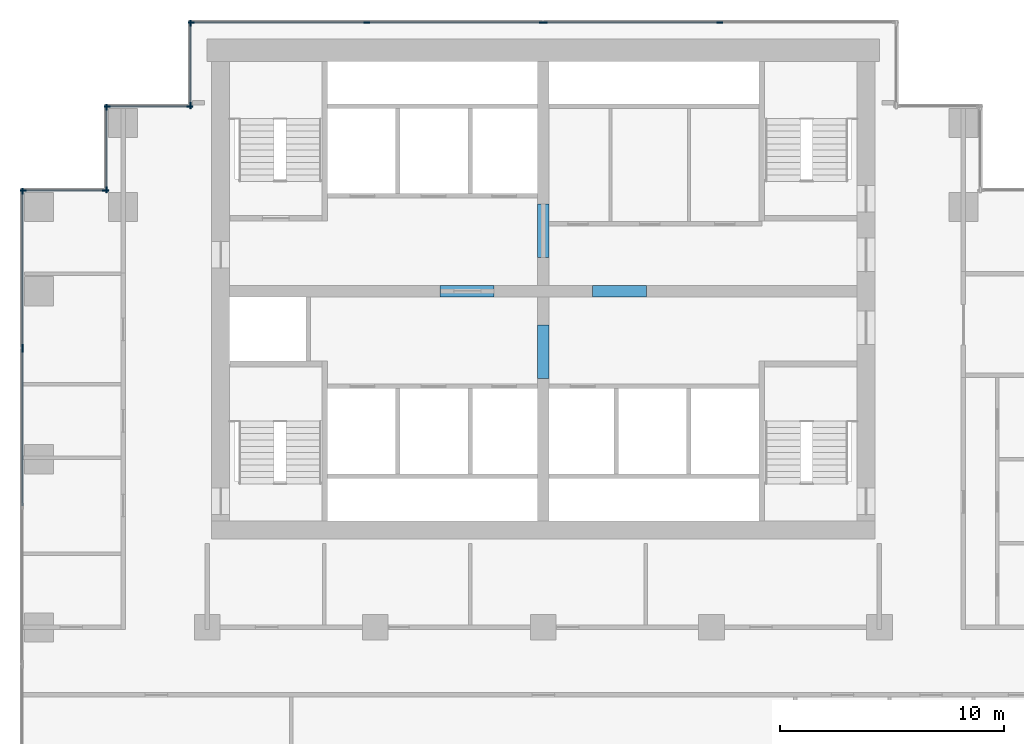
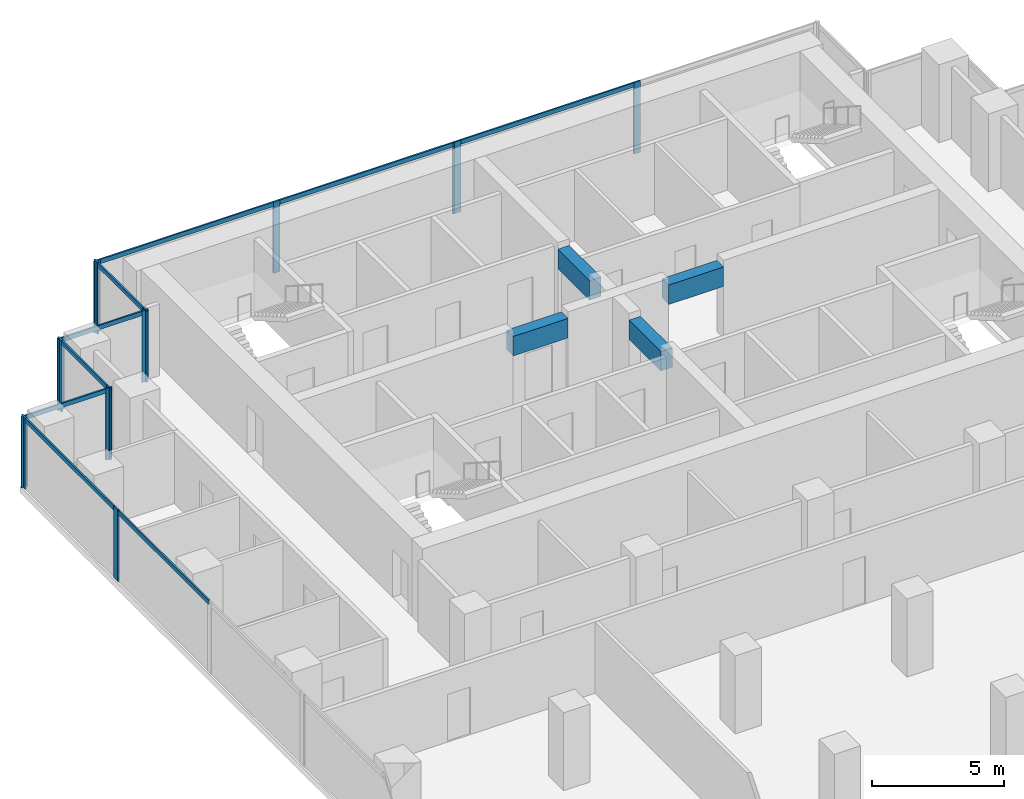
# One storey, part 4 of 10: 25 members, 4 beams, 8 elements without a shape of their own.
"""IFC4 building model written with IfcOpenShell, lengths in metres."""

from ifc_helpers import new_model, si_unit, direction, frame, origin, origin_2d, place, context, subcontext, project, spatial, rectangle, extrude, material, material_profile, profile_set, type_object, element, aggregate, save


model = new_model("IFC4")

# Units and contexts
model_context = context("Model", 3, precision=1e-05, world=origin(), true_north=direction((0.0, 1.0)))
body_context = subcontext(model_context, "Body", "Model", "MODEL_VIEW")
ifc_project = project(units=[si_unit("LENGTHUNIT", "METRE"), si_unit("AREAUNIT", "SQUARE_METRE"), si_unit("VOLUMEUNIT", "CUBIC_METRE"), si_unit("PLANEANGLEUNIT", "RADIAN"), si_unit("MASSUNIT", "GRAM", prefix="KILO")], contexts=[model_context])

# Site, building, storey
site_placement = place(None, origin())
site = spatial("IfcSite", under=ifc_project, at=site_placement, CompositionType="ELEMENT")
building_placement = place(site_placement, origin())
building = spatial("IfcBuilding", under=site, at=building_placement, Name="Pilkhan Gate Tower", CompositionType="ELEMENT")
storey_placement = place(building_placement, frame((0.0, 0.0, 114.39990234375)))
storey = spatial("IfcBuildingStorey", under=building, at=storey_placement, Name="L28", CompositionType="ELEMENT", Elevation=114.39990234375)

# Beams
ifc_material_1 = material(Name="Concrete C60/75", Category="concrete")
ifc_material_profile_1 = material_profile(ifc_material_1, rectangle(XDim=0.5, YDim=0.89990234375, at=origin_2d()), Name="RC 500x900")
ifc_profile_set_1 = profile_set([ifc_material_profile_1], Name="Concrete C60/75")
beam_type = type_object("IfcBeamType", Name="Coupling beam CB90 RC 500x900 C60/75", PredefinedType="LINTEL", material=ifc_profile_set_1)
for number, where, z_axis, x_axis, name in (
    (1, (70.39990234375, 82.5, 2.85009765625), (1.0, 0.0, 0.0), (0.0, 1.0, 0.0), "Coupling beam 1 L28"),
    (2, (77.199951171875, 82.5, 2.85009765625), (1.0, 0.0, 0.0), (0.0, 1.0, 0.0), "Coupling beam 2 L28"),
):
    element("IfcBeam", number, at=place(storey_placement, frame(where, z_axis=z_axis, x_axis=x_axis)), inside=storey, type_object=beam_type, Name=name, PredefinedType="LINTEL", context=body_context, shape_type="SweptSolid", body=[
        extrude(rectangle(XDim=0.5, YDim=0.89990234375, at=origin_2d()), origin(), (0.0, 0.0, 1.0), 2.400146484375),
    ])
for number, where, z_axis, x_axis, name in (
    (3, (75.0, 78.60009765625, 2.85009765625), (0.0, 1.0, 0.0), (-1.0, 0.0, 0.0), "Coupling beam 3 L28"),
    (4, (75.0, 84.0, 2.85009765625), (0.0, 1.0, 0.0), (-1.0, 0.0, 0.0), "Coupling beam 4 L28"),
):
    element("IfcBeam", number, at=place(storey_placement, frame(where, z_axis=z_axis, x_axis=x_axis)), inside=storey, type_object=beam_type, Name=name, PredefinedType="LINTEL", context=body_context, shape_type="SweptSolid", body=[
        extrude(rectangle(XDim=0.5, YDim=0.89990234375, at=origin_2d()), origin(), (0.0, 0.0, 1.0), 2.39990234375),
    ])

# Curtain wall, members
ifc_material_2 = material(Name="Pale anodised aluminium, clear low-iron double glazing", Category="aluminium")
curtain_wall_type = type_object("IfcCurtainWallType", Name="Office unitised curtain wall CW-O1", PredefinedType="USERDEFINED", material=ifc_material_2)
curtain_wall_1_placement = place(storey_placement, origin())
curtain_wall_1 = element("IfcCurtainWall", 5, at=curtain_wall_1_placement, inside=storey, type_object=curtain_wall_type, Name="Office unitised curtain wall CW-O1 L28 N", ObjectType="UNITISED CURTAIN WALL", PredefinedType="USERDEFINED")
ifc_material_3 = material(Name="Pale anodised aluminium", Category="aluminium")
ifc_material_profile_2 = material_profile(ifc_material_3, rectangle(XDim=0.070068359375, YDim=0.27490234375, at=origin_2d()), Name="Mullion 275x70")
ifc_profile_set_2 = profile_set([ifc_material_profile_2], Name="Pale anodised aluminium")
member_type_1 = type_object("IfcMemberType", Name="Mullion CW-O1 275x70", PredefinedType="MULLION", material=ifc_profile_set_2)
member_1_placement = place(storey_placement, frame((59.284912109375, 94.5, 0.0), z_axis=(0.0, 0.0, 1.0), x_axis=(0.0, 1.0, 0.0)))
member_1 = element("IfcMember", 6, at=member_1_placement, type_object=member_type_1, Name="CW-O1 mullion 1", PredefinedType="MULLION", context=body_context, shape_type="SweptSolid", body=[
    extrude(rectangle(XDim=0.070068359375, YDim=0.27490234375, at=origin_2d()), origin(), (0.0, 0.0, 1.0), 3.300048828125),
])
member_2_placement = place(storey_placement, frame((67.125, 94.5, 0.0), z_axis=(0.0, 0.0, 1.0), x_axis=(0.0, 1.0, 0.0)))
member_2 = element("IfcMember", 7, at=member_2_placement, type_object=member_type_1, Name="CW-O1 mullion 2", PredefinedType="MULLION", context=body_context, shape_type="SweptSolid", body=[
    extrude(rectangle(XDim=0.070068359375, YDim=0.27490234375, at=origin_2d()), origin(), (0.0, 0.0, 1.0), 3.300048828125),
])
member_3_placement = place(storey_placement, frame((74.965087890625, 94.5, 0.0), z_axis=(0.0, 0.0, 1.0), x_axis=(0.0, 1.0, 0.0)))
member_3 = element("IfcMember", 8, at=member_3_placement, type_object=member_type_1, Name="CW-O1 mullion 3", PredefinedType="MULLION", context=body_context, shape_type="SweptSolid", body=[
    extrude(rectangle(XDim=0.070068359375, YDim=0.27490234375, at=origin_2d()), origin(), (0.0, 0.0, 1.0), 3.300048828125),
])

curtain_wall_2_placement = place(storey_placement, origin())
curtain_wall_2 = element("IfcCurtainWall", 9, at=curtain_wall_2_placement, inside=storey, type_object=curtain_wall_type, Name="Office unitised curtain wall CW-O1 L28 N", ObjectType="UNITISED CURTAIN WALL", PredefinedType="USERDEFINED")
member_4_placement = place(storey_placement, frame((75.034912109375, 94.5, 0.0), z_axis=(0.0, 0.0, 1.0), x_axis=(0.0, 1.0, 0.0)))
member_4 = element("IfcMember", 10, at=member_4_placement, type_object=member_type_1, Name="CW-O1 mullion 1", PredefinedType="MULLION", context=body_context, shape_type="SweptSolid", body=[
    extrude(rectangle(XDim=0.070068359375, YDim=0.27490234375, at=origin_2d()), origin(), (0.0, 0.0, 1.0), 3.300048828125),
])
member_5_placement = place(storey_placement, frame((82.875, 94.5, 0.0), z_axis=(0.0, 0.0, 1.0), x_axis=(0.0, 1.0, 0.0)))
member_5 = element("IfcMember", 11, at=member_5_placement, type_object=member_type_1, Name="CW-O1 mullion 2", PredefinedType="MULLION", context=body_context, shape_type="SweptSolid", body=[
    extrude(rectangle(XDim=0.070068359375, YDim=0.27490234375, at=origin_2d()), origin(), (0.0, 0.0, 1.0), 3.300048828125),
])

curtain_wall_3_placement = place(storey_placement, origin())
curtain_wall_3 = element("IfcCurtainWall", 12, at=curtain_wall_3_placement, inside=storey, type_object=curtain_wall_type, Name="Office unitised curtain wall CW-O1 L28 W", ObjectType="UNITISED CURTAIN WALL", PredefinedType="USERDEFINED")
member_6_placement = place(storey_placement, frame((59.25, 90.784912109375, 0.0), z_axis=(0.0, 0.0, 1.0), x_axis=(-1.0, 0.0, 0.0)))
member_6 = element("IfcMember", 13, at=member_6_placement, type_object=member_type_1, Name="CW-O1 mullion 1", PredefinedType="MULLION", context=body_context, shape_type="SweptSolid", body=[
    extrude(rectangle(XDim=0.070068359375, YDim=0.27490234375, at=origin_2d()), origin(), (0.0, 0.0, 1.0), 3.300048828125),
])
member_7_placement = place(storey_placement, frame((59.25, 94.465087890625, 0.0), z_axis=(0.0, 0.0, 1.0), x_axis=(-1.0, 0.0, 0.0)))
member_7 = element("IfcMember", 14, at=member_7_placement, type_object=member_type_1, Name="CW-O1 mullion 2", PredefinedType="MULLION", context=body_context, shape_type="SweptSolid", body=[
    extrude(rectangle(XDim=0.070068359375, YDim=0.27490234375, at=origin_2d()), origin(), (0.0, 0.0, 1.0), 3.300048828125),
])

curtain_wall_4_placement = place(storey_placement, origin())
curtain_wall_4 = element("IfcCurtainWall", 15, at=curtain_wall_4_placement, inside=storey, type_object=curtain_wall_type, Name="Office unitised curtain wall CW-O1 L28 N", ObjectType="UNITISED CURTAIN WALL", PredefinedType="USERDEFINED")
member_8_placement = place(storey_placement, frame((55.534912109375, 90.75, 0.0), z_axis=(0.0, 0.0, 1.0), x_axis=(0.0, 1.0, 0.0)))
member_8 = element("IfcMember", 16, at=member_8_placement, type_object=member_type_1, Name="CW-O1 mullion 1", PredefinedType="MULLION", context=body_context, shape_type="SweptSolid", body=[
    extrude(rectangle(XDim=0.070068359375, YDim=0.27490234375, at=origin_2d()), origin(), (0.0, 0.0, 1.0), 3.300048828125),
])
member_9_placement = place(storey_placement, frame((59.215087890625, 90.75, 0.0), z_axis=(0.0, 0.0, 1.0), x_axis=(0.0, 1.0, 0.0)))
member_9 = element("IfcMember", 17, at=member_9_placement, type_object=member_type_1, Name="CW-O1 mullion 2", PredefinedType="MULLION", context=body_context, shape_type="SweptSolid", body=[
    extrude(rectangle(XDim=0.070068359375, YDim=0.27490234375, at=origin_2d()), origin(), (0.0, 0.0, 1.0), 3.300048828125),
])

curtain_wall_5_placement = place(storey_placement, origin())
curtain_wall_5 = element("IfcCurtainWall", 18, at=curtain_wall_5_placement, inside=storey, type_object=curtain_wall_type, Name="Office unitised curtain wall CW-O1 L28 W", ObjectType="UNITISED CURTAIN WALL", PredefinedType="USERDEFINED")
member_10_placement = place(storey_placement, frame((55.5, 87.034912109375, 0.0), z_axis=(0.0, 0.0, 1.0), x_axis=(-1.0, 0.0, 0.0)))
member_10 = element("IfcMember", 19, at=member_10_placement, type_object=member_type_1, Name="CW-O1 mullion 1", PredefinedType="MULLION", context=body_context, shape_type="SweptSolid", body=[
    extrude(rectangle(XDim=0.070068359375, YDim=0.27490234375, at=origin_2d()), origin(), (0.0, 0.0, 1.0), 3.300048828125),
])
member_11_placement = place(storey_placement, frame((55.5, 90.715087890625, 0.0), z_axis=(0.0, 0.0, 1.0), x_axis=(-1.0, 0.0, 0.0)))
member_11 = element("IfcMember", 20, at=member_11_placement, type_object=member_type_1, Name="CW-O1 mullion 2", PredefinedType="MULLION", context=body_context, shape_type="SweptSolid", body=[
    extrude(rectangle(XDim=0.070068359375, YDim=0.27490234375, at=origin_2d()), origin(), (0.0, 0.0, 1.0), 3.300048828125),
])

curtain_wall_6_placement = place(storey_placement, origin())
curtain_wall_6 = element("IfcCurtainWall", 21, at=curtain_wall_6_placement, inside=storey, type_object=curtain_wall_type, Name="Office unitised curtain wall CW-O1 L28 N", ObjectType="UNITISED CURTAIN WALL", PredefinedType="USERDEFINED")
member_12_placement = place(storey_placement, frame((51.784912109375, 87.0, 0.0), z_axis=(0.0, 0.0, 1.0), x_axis=(0.0, 1.0, 0.0)))
member_12 = element("IfcMember", 22, at=member_12_placement, type_object=member_type_1, Name="CW-O1 mullion 1", PredefinedType="MULLION", context=body_context, shape_type="SweptSolid", body=[
    extrude(rectangle(XDim=0.070068359375, YDim=0.27490234375, at=origin_2d()), origin(), (0.0, 0.0, 1.0), 3.300048828125),
])
member_13_placement = place(storey_placement, frame((55.465087890625, 87.0, 0.0), z_axis=(0.0, 0.0, 1.0), x_axis=(0.0, 1.0, 0.0)))
member_13 = element("IfcMember", 23, at=member_13_placement, type_object=member_type_1, Name="CW-O1 mullion 2", PredefinedType="MULLION", context=body_context, shape_type="SweptSolid", body=[
    extrude(rectangle(XDim=0.070068359375, YDim=0.27490234375, at=origin_2d()), origin(), (0.0, 0.0, 1.0), 3.300048828125),
])

# Curtain wall, member
curtain_wall_7_placement = place(storey_placement, origin())
curtain_wall_7 = element("IfcCurtainWall", 24, at=curtain_wall_7_placement, inside=storey, type_object=curtain_wall_type, Name="Office unitised curtain wall CW-O1 L28 W", ObjectType="UNITISED CURTAIN WALL", PredefinedType="USERDEFINED")
member_14_placement = place(storey_placement, frame((51.75, 79.9150390625, 0.0), z_axis=(0.0, 0.0, 1.0), x_axis=(-1.0, 0.0, 0.0)))
member_14 = element("IfcMember", 25, at=member_14_placement, type_object=member_type_1, Name="CW-O1 mullion 3", PredefinedType="MULLION", context=body_context, shape_type="SweptSolid", body=[
    extrude(rectangle(XDim=0.070068359375, YDim=0.27490234375, at=origin_2d()), origin(), (0.0, 0.0, 1.0), 3.300048828125),
])

# Curtain wall, members
curtain_wall_8_placement = place(storey_placement, origin())
curtain_wall_8 = element("IfcCurtainWall", 26, at=curtain_wall_8_placement, inside=storey, type_object=curtain_wall_type, Name="Office unitised curtain wall CW-O1 L28 W", ObjectType="UNITISED CURTAIN WALL", PredefinedType="USERDEFINED")
member_15_placement = place(storey_placement, frame((51.75, 79.985107421875, 0.0), z_axis=(0.0, 0.0, 1.0), x_axis=(-1.0, 0.0, 0.0)))
member_15 = element("IfcMember", 27, at=member_15_placement, type_object=member_type_1, Name="CW-O1 mullion 1", PredefinedType="MULLION", context=body_context, shape_type="SweptSolid", body=[
    extrude(rectangle(XDim=0.070068359375, YDim=0.27490234375, at=origin_2d()), origin(), (0.0, 0.0, 1.0), 3.300048828125),
])
member_16_placement = place(storey_placement, frame((51.75, 86.965087890625, 0.0), z_axis=(0.0, 0.0, 1.0), x_axis=(-1.0, 0.0, 0.0)))
member_16 = element("IfcMember", 28, at=member_16_placement, type_object=member_type_1, Name="CW-O1 mullion 2", PredefinedType="MULLION", context=body_context, shape_type="SweptSolid", body=[
    extrude(rectangle(XDim=0.070068359375, YDim=0.27490234375, at=origin_2d()), origin(), (0.0, 0.0, 1.0), 3.300048828125),
])

# Member
ifc_material_profile_3 = material_profile(ifc_material_3, rectangle(XDim=0.070068359375, YDim=0.199951171875, at=origin_2d()), Name="Transom 200x70")
ifc_profile_set_3 = profile_set([ifc_material_profile_3], Name="Pale anodised aluminium")
member_type_2 = type_object("IfcMemberType", Name="Transom CW-O1 200x70", PredefinedType="USERDEFINED", material=ifc_profile_set_3)
member_17_placement = place(storey_placement, frame((59.320068359375, 94.5, 3.2001953125), z_axis=(1.0, 0.0, 0.0), x_axis=(0.0, 1.0, 0.0)))
member_17 = element("IfcMember", 29, at=member_17_placement, type_object=member_type_2, Name="CW-O1 transom 1", ObjectType="TRANSOM", PredefinedType="USERDEFINED", context=body_context, shape_type="SweptSolid", body=[
    extrude(rectangle(XDim=0.070068359375, YDim=0.199951171875, at=origin_2d()), origin(), (0.0, 0.0, 1.0), 7.77001953125),
])

member_18_placement = place(storey_placement, frame((67.159912109375, 94.5, 3.2001953125), z_axis=(1.0, 0.0, 0.0), x_axis=(0.0, 1.0, 0.0)))
member_18 = element("IfcMember", 30, at=member_18_placement, type_object=member_type_2, Name="CW-O1 transom 2", ObjectType="TRANSOM", PredefinedType="USERDEFINED", context=body_context, shape_type="SweptSolid", body=[
    extrude(rectangle(XDim=0.070068359375, YDim=0.199951171875, at=origin_2d()), origin(), (0.0, 0.0, 1.0), 7.77001953125),
])

aggregate(curtain_wall_1, [member_1, member_2, member_3, member_17, member_18])

member_19_placement = place(storey_placement, frame((75.070068359375, 94.5, 3.2001953125), z_axis=(1.0, 0.0, 0.0), x_axis=(0.0, 1.0, 0.0)))
member_19 = element("IfcMember", 31, at=member_19_placement, type_object=member_type_2, Name="CW-O1 transom 1", ObjectType="TRANSOM", PredefinedType="USERDEFINED", context=body_context, shape_type="SweptSolid", body=[
    extrude(rectangle(XDim=0.070068359375, YDim=0.199951171875, at=origin_2d()), origin(), (0.0, 0.0, 1.0), 7.77001953125),
])

aggregate(curtain_wall_2, [member_4, member_5, member_19])

member_20_placement = place(storey_placement, frame((59.25, 90.820068359375, 3.2001953125), z_axis=(0.0, 1.0, 0.0), x_axis=(-1.0, 0.0, 0.0)))
member_20 = element("IfcMember", 32, at=member_20_placement, type_object=member_type_2, Name="CW-O1 transom 1", ObjectType="TRANSOM", PredefinedType="USERDEFINED", context=body_context, shape_type="SweptSolid", body=[
    extrude(rectangle(XDim=0.070068359375, YDim=0.199951171875, at=origin_2d()), origin(), (0.0, 0.0, 1.0), 3.60986328125),
])

aggregate(curtain_wall_3, [member_6, member_7, member_20])

member_21_placement = place(storey_placement, frame((55.570068359375, 90.75, 3.2001953125), z_axis=(1.0, 0.0, 0.0), x_axis=(0.0, 1.0, 0.0)))
member_21 = element("IfcMember", 33, at=member_21_placement, type_object=member_type_2, Name="CW-O1 transom 1", ObjectType="TRANSOM", PredefinedType="USERDEFINED", context=body_context, shape_type="SweptSolid", body=[
    extrude(rectangle(XDim=0.070068359375, YDim=0.199951171875, at=origin_2d()), origin(), (0.0, 0.0, 1.0), 3.60986328125),
])

aggregate(curtain_wall_4, [member_8, member_9, member_21])

member_22_placement = place(storey_placement, frame((55.5, 87.070068359375, 3.2001953125), z_axis=(0.0, 1.0, 0.0), x_axis=(-1.0, 0.0, 0.0)))
member_22 = element("IfcMember", 34, at=member_22_placement, type_object=member_type_2, Name="CW-O1 transom 1", ObjectType="TRANSOM", PredefinedType="USERDEFINED", context=body_context, shape_type="SweptSolid", body=[
    extrude(rectangle(XDim=0.070068359375, YDim=0.199951171875, at=origin_2d()), origin(), (0.0, 0.0, 1.0), 3.60986328125),
])

aggregate(curtain_wall_5, [member_10, member_11, member_22])

member_23_placement = place(storey_placement, frame((51.820068359375, 87.0, 3.2001953125), z_axis=(1.0, 0.0, 0.0), x_axis=(0.0, 1.0, 0.0)))
member_23 = element("IfcMember", 35, at=member_23_placement, type_object=member_type_2, Name="CW-O1 transom 1", ObjectType="TRANSOM", PredefinedType="USERDEFINED", context=body_context, shape_type="SweptSolid", body=[
    extrude(rectangle(XDim=0.070068359375, YDim=0.199951171875, at=origin_2d()), origin(), (0.0, 0.0, 1.0), 3.60986328125),
])

aggregate(curtain_wall_6, [member_12, member_13, member_23])

member_24_placement = place(storey_placement, frame((51.75, 72.93505859375, 3.2001953125), z_axis=(0.0, 1.0, 0.0), x_axis=(-1.0, 0.0, 0.0)))
member_24 = element("IfcMember", 36, at=member_24_placement, type_object=member_type_2, Name="CW-O1 transom 2", ObjectType="TRANSOM", PredefinedType="USERDEFINED", context=body_context, shape_type="SweptSolid", body=[
    extrude(rectangle(XDim=0.070068359375, YDim=0.199951171875, at=origin_2d()), origin(), (0.0, 0.0, 1.0), 6.94482421875),
])

aggregate(curtain_wall_7, [member_14, member_24])

member_25_placement = place(storey_placement, frame((51.75, 80.02001953125, 3.2001953125), z_axis=(0.0, 1.0, 0.0), x_axis=(-1.0, 0.0, 0.0)))
member_25 = element("IfcMember", 37, at=member_25_placement, type_object=member_type_2, Name="CW-O1 transom 1", ObjectType="TRANSOM", PredefinedType="USERDEFINED", context=body_context, shape_type="SweptSolid", body=[
    extrude(rectangle(XDim=0.070068359375, YDim=0.199951171875, at=origin_2d()), origin(), (0.0, 0.0, 1.0), 6.909912109375),
])

aggregate(curtain_wall_8, [member_15, member_16, member_25])

save(model, "model.ifc")
